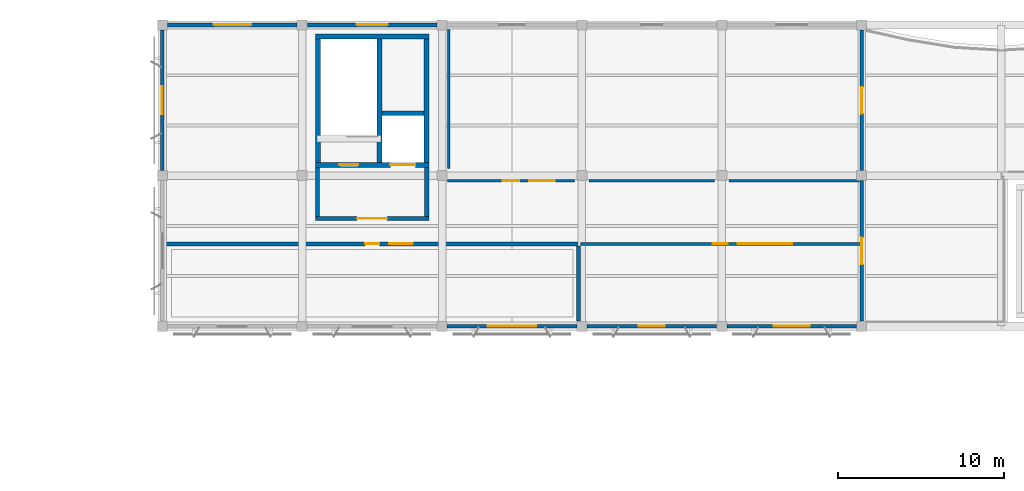
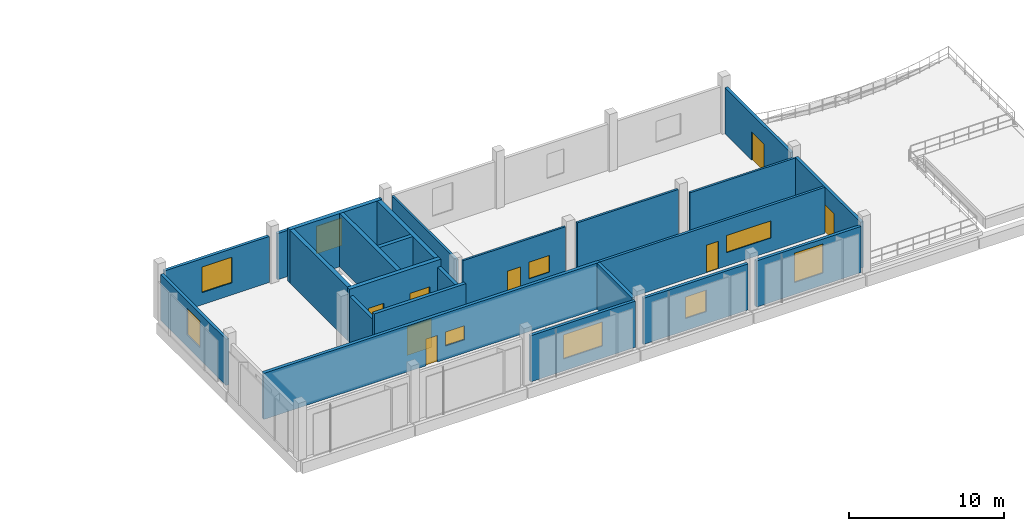
# One storey, part 19 of 28: 24 walls, 9 windows, 8 doors, 17 openings.
"""IFC4 building model written with IfcOpenShell, lengths in metres."""

from ifc_helpers import new_model, si_unit, direction, frame, frame_2d, origin, place, context, subcontext, project, spatial, rectangle, extrude, material, layer, layer_set, type_object, element, fill, save


model = new_model("IFC4")

# Units and contexts
model_context = context("Model", 3, precision=1e-05, world=origin(), true_north=direction((0.0, 1.0)))
body_context = subcontext(model_context, "Body", "Model", "MODEL_VIEW")
ifc_project = project(units=[si_unit("LENGTHUNIT", "METRE"), si_unit("AREAUNIT", "SQUARE_METRE"), si_unit("VOLUMEUNIT", "CUBIC_METRE"), si_unit("PLANEANGLEUNIT", "RADIAN"), si_unit("MASSUNIT", "GRAM", prefix="KILO")], contexts=[model_context])

# Site, building, storey
site_placement = place(None, origin())
site = spatial("IfcSite", under=ifc_project, at=site_placement, CompositionType="ELEMENT")
building_placement = place(site_placement, origin())
building = spatial("IfcBuilding", under=site, at=building_placement, Name="Khurvash Pelagic Aquarium", CompositionType="ELEMENT")
storey_placement = place(building_placement, frame((0.0, 0.0, 20.10009765625)))
storey = spatial("IfcBuildingStorey", under=building, at=storey_placement, Name="L04", CompositionType="ELEMENT", Elevation=20.10009765625)

# Wall, opening, window
ifc_material_1 = material(Name="Glass-fibre reinforced concrete C40/50", Category="concrete")
ifc_layer_1 = layer(ifc_material_1, 0.219970703125)
ifc_layer_set_1 = layer_set([ifc_layer_1], Name="Glass-fibre reinforced concrete C40/50")
wall_type_1 = type_object("IfcWallType", Name="EW-220", PredefinedType="STANDARD", material=ifc_layer_set_1)
wall_1_placement = place(storey_placement, frame((75.905029296875, 84.050048828125, 0.0), z_axis=(0.0, 0.0, 1.0), x_axis=(1.0, 0.0, 0.0)))
wall_1 = element("IfcWall", 1, at=wall_1_placement, inside=storey, type_object=wall_type_1, Name="L04 Exterior Architectural Facade Wall EW-220 0191", PredefinedType="STANDARD", context=body_context, shape_type="SweptSolid", body=[
    extrude(rectangle(XDim=7.7900390625, YDim=0.219970703125, at=frame_2d((3.89501953125, 0.0))), origin(), (0.0, 0.0, 1.0), 3.630859375),
])
opening_1_placement = place(wall_1_placement, frame((2.445068359375, 0.0, 0.949951171875)))
opening_1 = element("IfcOpeningElement", 2, at=opening_1_placement, cuts=wall_1, Name="Opening WN-26", PredefinedType="OPENING", context=body_context, shape_type="SweptSolid", body=[
    extrude(rectangle(XDim=2.89990234375, YDim=1.89990234375, at=frame_2d((1.449951171875, 0.949951171875))), frame((0.0, 0.1201171875, 0.0), z_axis=(0.0, -1.0, 0.0), x_axis=(1.0, 0.0, 0.0)), (0.0, 0.0, 1.0), 0.239990234375),
])
ifc_material_2 = material(Name="Thermally broken aluminium and low-E glass", Category="aluminium")
window_type_1 = type_object("IfcWindowType", Name="WN-26", PartitioningType="SINGLE_PANEL", PredefinedType="WINDOW", material=ifc_material_2)
window_1_placement = place(opening_1_placement, origin())
window_1 = element("IfcWindow", 3, at=window_1_placement, inside=storey, type_object=window_type_1, Name="L04 Facade Window WN-26 0127", OverallHeight=1.89990234375, OverallWidth=2.89990234375, PartitioningType="SINGLE_PANEL", PredefinedType="WINDOW", context=body_context, shape_type="SweptSolid", body=[
    extrude(rectangle(XDim=2.89990234375, YDim=1.89990234375, at=frame_2d((1.449951171875, 0.949951171875))), frame((0.0, 0.030029296875, 0.0), z_axis=(0.0, -1.0, 0.0), x_axis=(1.0, 0.0, 0.0)), (0.0, 0.0, 1.0), 0.06005859375),
])
fill(opening_1, window_1)

wall_2_placement = place(storey_placement, frame((84.304931640625, 84.050048828125, 0.0), z_axis=(0.0, 0.0, 1.0), x_axis=(1.0, 0.0, 0.0)))
wall_2 = element("IfcWall", 4, at=wall_2_placement, inside=storey, type_object=wall_type_1, Name="L04 Exterior Architectural Facade Wall EW-220 0192", PredefinedType="STANDARD", context=body_context, shape_type="SweptSolid", body=[
    extrude(rectangle(XDim=7.7900390625, YDim=0.219970703125, at=frame_2d((3.89501953125, 0.0))), origin(), (0.0, 0.0, 1.0), 3.630859375),
])
opening_2_placement = place(wall_2_placement, frame((3.1201171875, 0.0, 0.949951171875)))
opening_2 = element("IfcOpeningElement", 5, at=opening_2_placement, cuts=wall_2, Name="Opening WN-28", PredefinedType="OPENING", context=body_context, shape_type="SweptSolid", body=[
    extrude(rectangle(XDim=1.550048828125, YDim=1.699951171875, at=frame_2d((0.77490234375, 0.85009765625))), frame((0.0, 0.1201171875, 0.0), z_axis=(0.0, -1.0, 0.0), x_axis=(1.0, 0.0, 0.0)), (0.0, 0.0, 1.0), 0.239990234375),
])
window_type_2 = type_object("IfcWindowType", Name="WN-28", PartitioningType="SINGLE_PANEL", PredefinedType="WINDOW", material=ifc_material_2)
window_2_placement = place(opening_2_placement, origin())
window_2 = element("IfcWindow", 6, at=window_2_placement, inside=storey, type_object=window_type_2, Name="L04 Facade Window WN-28 0128", OverallHeight=1.699951171875, OverallWidth=1.550048828125, PartitioningType="SINGLE_PANEL", PredefinedType="WINDOW", context=body_context, shape_type="SweptSolid", body=[
    extrude(rectangle(XDim=1.550048828125, YDim=1.699951171875, at=frame_2d((0.77490234375, 0.85009765625))), frame((0.0, 0.030029296875, 0.0), z_axis=(0.0, -1.0, 0.0), x_axis=(1.0, 0.0, 0.0)), (0.0, 0.0, 1.0), 0.06005859375),
])
fill(opening_2, window_2)

wall_3_placement = place(storey_placement, frame((92.705078125, 84.050048828125, 0.0), z_axis=(0.0, 0.0, 1.0), x_axis=(1.0, 0.0, 0.0)))
wall_3 = element("IfcWall", 7, at=wall_3_placement, inside=storey, type_object=wall_type_1, Name="L04 Exterior Architectural Facade Wall EW-220 0193", PredefinedType="STANDARD", context=body_context, shape_type="SweptSolid", body=[
    extrude(rectangle(XDim=7.7900390625, YDim=0.219970703125, at=frame_2d((3.89501953125, 0.0))), origin(), (0.0, 0.0, 1.0), 3.630859375),
])
opening_3_placement = place(wall_3_placement, frame((2.820068359375, 0.0, 0.949951171875)))
opening_3 = element("IfcOpeningElement", 8, at=opening_3_placement, cuts=wall_3, Name="Opening WN-30", PredefinedType="OPENING", context=body_context, shape_type="SweptSolid", body=[
    extrude(rectangle(XDim=2.14990234375, YDim=2.300048828125, at=frame_2d((1.074951171875, 1.14990234375))), frame((0.0, 0.1201171875, 0.0), z_axis=(0.0, -1.0, 0.0), x_axis=(1.0, 0.0, 0.0)), (0.0, 0.0, 1.0), 0.239990234375),
])
window_type_3 = type_object("IfcWindowType", Name="WN-30", PartitioningType="SINGLE_PANEL", PredefinedType="WINDOW", material=ifc_material_2)
window_3_placement = place(opening_3_placement, origin())
window_3 = element("IfcWindow", 9, at=window_3_placement, inside=storey, type_object=window_type_3, Name="L04 Facade Window WN-30 0129", OverallHeight=2.300048828125, OverallWidth=2.14990234375, PartitioningType="SINGLE_PANEL", PredefinedType="WINDOW", context=body_context, shape_type="SweptSolid", body=[
    extrude(rectangle(XDim=2.14990234375, YDim=2.300048828125, at=frame_2d((1.074951171875, 1.14990234375))), frame((0.0, 0.030029296875, 0.0), z_axis=(0.0, -1.0, 0.0), x_axis=(1.0, 0.0, 0.0)), (0.0, 0.0, 1.0), 0.06005859375),
])
fill(opening_3, window_3)

# Wall, opening, door
wall_4_placement = place(storey_placement, frame((100.800048828125, 84.35498046875, 0.0), z_axis=(0.0, 0.0, 1.0), x_axis=(0.0, 1.0, 0.0)))
wall_4 = element("IfcWall", 10, at=wall_4_placement, inside=storey, type_object=wall_type_1, Name="L04 Exterior Architectural Facade Wall EW-220 0194", PredefinedType="STANDARD", context=body_context, shape_type="SweptSolid", body=[
    extrude(rectangle(XDim=8.43994140625, YDim=0.219970703125, at=frame_2d((4.219970703125, 0.0))), origin(), (0.0, 0.0, 1.0), 3.630859375),
])
opening_4_placement = place(wall_4_placement, frame((3.419921875, 0.0, 0.0)))
opening_4 = element("IfcOpeningElement", 11, at=opening_4_placement, cuts=wall_4, Name="Opening ED-03", PredefinedType="OPENING", context=body_context, shape_type="SweptSolid", body=[
    extrude(rectangle(XDim=1.60009765625, YDim=2.25, at=frame_2d((0.800048828125, 1.125))), frame((0.0, 0.1201171875, 0.0), z_axis=(0.0, -1.0, 0.0), x_axis=(1.0, 0.0, 0.0)), (0.0, 0.0, 1.0), 0.239990234375),
])
ifc_material_3 = material(Name="Thermally broken glazed aluminium", Category="aluminium")
door_type_1 = type_object("IfcDoorType", Name="ED-03", OperationType="DOUBLE_DOOR_SINGLE_SWING", PredefinedType="DOOR", material=ifc_material_3)
door_1_placement = place(opening_4_placement, frame((1.60009765625, 0.0, 0.0), z_axis=(0.0, 0.0, 1.0), x_axis=(-1.0, 0.0, 0.0)))
door_1 = element("IfcDoor", 12, at=door_1_placement, inside=storey, type_object=door_type_1, Name="DR-0227", OperationType="DOUBLE_DOOR_SINGLE_SWING", OverallHeight=2.25, OverallWidth=1.60009765625, PredefinedType="DOOR", context=body_context, shape_type="SweptSolid", body=[
    extrude(rectangle(XDim=1.60009765625, YDim=2.25, at=frame_2d((0.800048828125, 1.125))), frame((0.0, 0.02490234375, 0.0), z_axis=(0.0, -1.0, 0.0), x_axis=(1.0, 0.0, 0.0)), (0.0, 0.0, 1.0), 0.050048828125),
])
fill(opening_4, door_1)

wall_5_placement = place(storey_placement, frame((100.800048828125, 93.405029296875, 0.0), z_axis=(0.0, 0.0, 1.0), x_axis=(0.0, 1.0, 0.0)))
wall_5 = element("IfcWall", 13, at=wall_5_placement, inside=storey, type_object=wall_type_1, Name="L04 Exterior Architectural Facade Wall EW-220 0195", PredefinedType="STANDARD", context=body_context, shape_type="SweptSolid", body=[
    extrude(rectangle(XDim=8.43994140625, YDim=0.219970703125, at=frame_2d((4.219970703125, 0.0))), origin(), (0.0, 0.0, 1.0), 3.630859375),
])
opening_5_placement = place(wall_5_placement, frame((3.419921875, 0.0, 0.0)))
opening_5 = element("IfcOpeningElement", 14, at=opening_5_placement, cuts=wall_5, Name="Opening ED-03", PredefinedType="OPENING", context=body_context, shape_type="SweptSolid", body=[
    extrude(rectangle(XDim=1.60009765625, YDim=2.25, at=frame_2d((0.800048828125, 1.125))), frame((0.0, 0.1201171875, 0.0), z_axis=(0.0, -1.0, 0.0), x_axis=(1.0, 0.0, 0.0)), (0.0, 0.0, 1.0), 0.239990234375),
])
door_2_placement = place(opening_5_placement, frame((1.60009765625, 0.0, 0.0), z_axis=(0.0, 0.0, 1.0), x_axis=(-1.0, 0.0, 0.0)))
door_2 = element("IfcDoor", 15, at=door_2_placement, inside=storey, type_object=door_type_1, Name="DR-0228", OperationType="DOUBLE_DOOR_SINGLE_SWING", OverallHeight=2.25, OverallWidth=1.60009765625, PredefinedType="DOOR", context=body_context, shape_type="SweptSolid", body=[
    extrude(rectangle(XDim=1.60009765625, YDim=2.25, at=frame_2d((0.800048828125, 1.125))), frame((0.0, 0.02490234375, 0.0), z_axis=(0.0, -1.0, 0.0), x_axis=(1.0, 0.0, 0.0)), (0.0, 0.0, 1.0), 0.050048828125),
])
fill(opening_5, door_2)

# Wall, opening, window
wall_6_placement = place(storey_placement, frame((75.294921875, 102.14990234375, 0.0), z_axis=(0.0, 0.0, 1.0), x_axis=(-1.0, 0.0, 0.0)))
wall_6 = element("IfcWall", 16, at=wall_6_placement, inside=storey, type_object=wall_type_1, Name="L04 Exterior Architectural Facade Wall EW-220 0199", PredefinedType="STANDARD", context=body_context, shape_type="SweptSolid", body=[
    extrude(rectangle(XDim=7.7900390625, YDim=0.219970703125, at=frame_2d((3.89501953125, 0.0))), origin(), (0.0, 0.0, 1.0), 3.630859375),
])
opening_6_placement = place(wall_6_placement, frame((2.955078125, 0.0, 0.949951171875)))
opening_6 = element("IfcOpeningElement", 17, at=opening_6_placement, cuts=wall_6, Name="Opening WN-35", PredefinedType="OPENING", context=body_context, shape_type="SweptSolid", body=[
    extrude(rectangle(XDim=1.8798828125, YDim=2.179931640625, at=frame_2d((0.93994140625, 1.08984375))), frame((0.0, 0.1201171875, 0.0), z_axis=(0.0, -1.0, 0.0), x_axis=(1.0, 0.0, 0.0)), (0.0, 0.0, 1.0), 0.239990234375),
])
window_type_4 = type_object("IfcWindowType", Name="WN-35", PartitioningType="SINGLE_PANEL", PredefinedType="WINDOW", material=ifc_material_2)
window_4_placement = place(opening_6_placement, origin())
window_4 = element("IfcWindow", 18, at=window_4_placement, inside=storey, type_object=window_type_4, Name="L04 Facade Window WN-35 0133", OverallHeight=2.179931640625, OverallWidth=1.8798828125, PartitioningType="SINGLE_PANEL", PredefinedType="WINDOW", context=body_context, shape_type="SweptSolid", body=[
    extrude(rectangle(XDim=1.8798828125, YDim=2.179931640625, at=frame_2d((0.93994140625, 1.08984375))), frame((0.0, 0.030029296875, 0.0), z_axis=(0.0, -1.0, 0.0), x_axis=(1.0, 0.0, 0.0)), (0.0, 0.0, 1.0), 0.06005859375),
])
fill(opening_6, window_4)

wall_7_placement = place(storey_placement, frame((66.89501953125, 102.14990234375, 0.0), z_axis=(0.0, 0.0, 1.0), x_axis=(-1.0, 0.0, 0.0)))
wall_7 = element("IfcWall", 19, at=wall_7_placement, inside=storey, type_object=wall_type_1, Name="L04 Exterior Architectural Facade Wall EW-220 0200", PredefinedType="STANDARD", context=body_context, shape_type="SweptSolid", body=[
    extrude(rectangle(XDim=7.7900390625, YDim=0.219970703125, at=frame_2d((3.89501953125, 0.0))), origin(), (0.0, 0.0, 1.0), 3.630859375),
])
opening_7_placement = place(wall_7_placement, frame((2.764892578125, 0.0, 0.949951171875)))
opening_7 = element("IfcOpeningElement", 20, at=opening_7_placement, cuts=wall_7, Name="Opening WN-37", PredefinedType="OPENING", context=body_context, shape_type="SweptSolid", body=[
    extrude(rectangle(XDim=2.260009765625, YDim=2.02001953125, at=frame_2d((1.1298828125, 1.010009765625))), frame((0.0, 0.1201171875, 0.0), z_axis=(0.0, -1.0, 0.0), x_axis=(1.0, 0.0, 0.0)), (0.0, 0.0, 1.0), 0.239990234375),
])
window_type_5 = type_object("IfcWindowType", Name="WN-37", PartitioningType="SINGLE_PANEL", PredefinedType="WINDOW", material=ifc_material_2)
window_5_placement = place(opening_7_placement, origin())
window_5 = element("IfcWindow", 21, at=window_5_placement, inside=storey, type_object=window_type_5, Name="L04 Facade Window WN-37 0134", OverallHeight=2.02001953125, OverallWidth=2.260009765625, PartitioningType="SINGLE_PANEL", PredefinedType="WINDOW", context=body_context, shape_type="SweptSolid", body=[
    extrude(rectangle(XDim=2.260009765625, YDim=2.02001953125, at=frame_2d((1.1298828125, 1.010009765625))), frame((0.0, 0.030029296875, 0.0), z_axis=(0.0, -1.0, 0.0), x_axis=(1.0, 0.0, 0.0)), (0.0, 0.0, 1.0), 0.06005859375),
])
fill(opening_7, window_5)

wall_8_placement = place(storey_placement, frame((58.800048828125, 101.844970703125, 0.0), z_axis=(0.0, 0.0, 1.0), x_axis=(0.0, -1.0, 0.0)))
wall_8 = element("IfcWall", 22, at=wall_8_placement, inside=storey, type_object=wall_type_1, Name="L04 Exterior Architectural Facade Wall EW-220 0201", PredefinedType="STANDARD", context=body_context, shape_type="SweptSolid", body=[
    extrude(rectangle(XDim=8.43994140625, YDim=0.219970703125, at=frame_2d((4.219970703125, 0.0))), origin(), (0.0, 0.0, 1.0), 3.630859375),
])
opening_8_placement = place(wall_8_placement, frame((3.3798828125, 0.0, 0.949951171875)))
opening_8 = element("IfcOpeningElement", 23, at=opening_8_placement, cuts=wall_8, Name="Opening WN-34", PredefinedType="OPENING", context=body_context, shape_type="SweptSolid", body=[
    extrude(rectangle(XDim=1.679931640625, YDim=2.080078125, at=frame_2d((0.83984375, 1.0400390625))), frame((0.0, 0.1201171875, 0.0), z_axis=(0.0, -1.0, 0.0), x_axis=(1.0, 0.0, 0.0)), (0.0, 0.0, 1.0), 0.239990234375),
])
window_type_6 = type_object("IfcWindowType", Name="WN-34", PartitioningType="SINGLE_PANEL", PredefinedType="WINDOW", material=ifc_material_2)
window_6_placement = place(opening_8_placement, origin())
window_6 = element("IfcWindow", 24, at=window_6_placement, inside=storey, type_object=window_type_6, Name="L04 Facade Window WN-34 0135", OverallHeight=2.080078125, OverallWidth=1.679931640625, PartitioningType="SINGLE_PANEL", PredefinedType="WINDOW", context=body_context, shape_type="SweptSolid", body=[
    extrude(rectangle(XDim=1.679931640625, YDim=2.080078125, at=frame_2d((0.83984375, 1.0400390625))), frame((0.0, 0.030029296875, 0.0), z_axis=(0.0, -1.0, 0.0), x_axis=(1.0, 0.0, 0.0)), (0.0, 0.0, 1.0), 0.06005859375),
])
fill(opening_8, window_6)

# Wall, openings, door, window
ifc_material_4 = material(Name="AAC blockwork", Category="masonry")
ifc_layer_2 = layer(ifc_material_4, 0.155029296875)
ifc_layer_set_2 = layer_set([ifc_layer_2], Name="AAC blockwork")
wall_type_2 = type_object("IfcWallType", Name="PW-155", PredefinedType="PARTITIONING", material=ifc_layer_set_2)
wall_9_placement = place(storey_placement, frame((75.922119140625, 92.800048828125, 0.0), z_axis=(0.0, 0.0, 1.0), x_axis=(1.0, 0.0, 0.0)))
wall_9 = element("IfcWall", 25, at=wall_9_placement, inside=storey, type_object=wall_type_2, Name="L04 Coral Cryobank and Herbarium Archive Partition Wall PW-155", PredefinedType="PARTITIONING", context=body_context, shape_type="SweptSolid", body=[
    extrude(rectangle(XDim=7.637939453125, YDim=0.155029296875, at=frame_2d((3.81884765625, 0.0))), origin(), (0.0, 0.0, 1.0), 4.199951171875),
])
opening_9_placement = place(wall_9_placement, frame((3.3291015625, 0.0, 0.0)))
opening_9 = element("IfcOpeningElement", 26, at=opening_9_placement, cuts=wall_9, Name="Opening ID-39", PredefinedType="OPENING", context=body_context, shape_type="SweptSolid", body=[
    extrude(rectangle(XDim=0.97998046875, YDim=2.219970703125, at=frame_2d((0.489990234375, 1.10986328125))), frame((0.0, 0.08740234375, 0.0), z_axis=(0.0, -1.0, 0.0), x_axis=(1.0, 0.0, 0.0)), (0.0, 0.0, 1.0), 0.175048828125),
])
opening_10_placement = place(wall_9_placement, frame((4.908935546875, 0.0, 1.0498046875)))
opening_10 = element("IfcOpeningElement", 27, at=opening_10_placement, cuts=wall_9, Name="Opening IW-13", PredefinedType="OPENING", context=body_context, shape_type="SweptSolid", body=[
    extrude(rectangle(XDim=1.550048828125, YDim=1.320068359375, at=frame_2d((0.77490234375, 0.66015625))), frame((0.0, 0.08740234375, 0.0), z_axis=(0.0, -1.0, 0.0), x_axis=(1.0, 0.0, 0.0)), (0.0, 0.0, 1.0), 0.175048828125),
])
ifc_material_5 = material(Name="Acoustic staff locker door", Category="wood")
door_type_2 = type_object("IfcDoorType", Name="ID-39", OperationType="NOTDEFINED", PredefinedType="DOOR", material=ifc_material_5)
door_3_placement = place(opening_9_placement, origin())
door_3 = element("IfcDoor", 28, at=door_3_placement, inside=storey, type_object=door_type_2, Name="DR-0239", OperationType="SINGLE_SWING_LEFT", OverallHeight=2.219970703125, OverallWidth=0.97998046875, PredefinedType="DOOR", context=body_context, shape_type="SweptSolid", body=[
    extrude(rectangle(XDim=0.97998046875, YDim=2.219970703125, at=frame_2d((0.489990234375, 1.10986328125))), frame((0.0, 0.02490234375, 0.0), z_axis=(0.0, -1.0, 0.0), x_axis=(1.0, 0.0, 0.0)), (0.0, 0.0, 1.0), 0.050048828125),
])
fill(opening_9, door_3)
ifc_material_6 = material(Name="Acoustic laminated interior observation glazing", Category="glass")
window_type_7 = type_object("IfcWindowType", Name="IW-13", PartitioningType="SINGLE_PANEL", PredefinedType="WINDOW", material=ifc_material_6)
window_7_placement = place(opening_10_placement, origin())
window_7 = element("IfcWindow", 29, at=window_7_placement, inside=storey, type_object=window_type_7, Name="L04 Coral Cryobank and Herbarium Archive Observation Window IW-13", OverallHeight=1.320068359375, OverallWidth=1.550048828125, PartitioningType="SINGLE_PANEL", PredefinedType="WINDOW", context=body_context, shape_type="SweptSolid", body=[
    extrude(rectangle(XDim=1.550048828125, YDim=1.320068359375, at=frame_2d((0.77490234375, 0.66015625))), frame((0.0, 0.030029296875, 0.0), z_axis=(0.0, -1.0, 0.0), x_axis=(1.0, 0.0, 0.0)), (0.0, 0.0, 1.0), 0.06005859375),
])
fill(opening_10, window_7)

# Walls
wall_10_placement = place(storey_placement, frame((84.43994140625, 92.800048828125, 0.0), z_axis=(0.0, 0.0, 1.0), x_axis=(1.0, 0.0, 0.0)))
element("IfcWall", 30, at=wall_10_placement, inside=storey, type_object=wall_type_2, Name="L04 Coral Cryobank and Herbarium Archive Partition Wall PW-155", PredefinedType="PARTITIONING", context=body_context, shape_type="SweptSolid", body=[
    extrude(rectangle(XDim=7.52001953125, YDim=0.155029296875, at=frame_2d((3.760009765625, 0.0))), origin(), (0.0, 0.0, 1.0), 4.199951171875),
])
wall_11_placement = place(storey_placement, frame((92.840087890625, 92.800048828125, 0.0), z_axis=(0.0, 0.0, 1.0), x_axis=(1.0, 0.0, 0.0)))
element("IfcWall", 31, at=wall_11_placement, inside=storey, type_object=wall_type_2, Name="L04 Coral Cryobank and Herbarium Archive Partition Wall PW-155", PredefinedType="PARTITIONING", context=body_context, shape_type="SweptSolid", body=[
    extrude(rectangle(XDim=7.8369140625, YDim=0.155029296875, at=frame_2d((3.91845703125, 0.0))), origin(), (0.0, 0.0, 1.0), 3.630859375),
])
wall_12_placement = place(storey_placement, frame((76.0, 93.5400390625, 0.0), z_axis=(0.0, 0.0, 1.0), x_axis=(0.0, 1.0, 0.0)))
element("IfcWall", 32, at=wall_12_placement, inside=storey, type_object=wall_type_2, Name="L04 Coral Cryobank and Herbarium Archive Partition Wall PW-155", PredefinedType="PARTITIONING", context=body_context, shape_type="SweptSolid", body=[
    extrude(rectangle(XDim=8.3330078125, YDim=0.155029296875, at=frame_2d((4.16650390625, 0.0))), origin(), (0.0, 0.0, 1.0), 3.762939453125),
])

# Wall, openings, door, window
ifc_layer_3 = layer(ifc_material_4, 0.18505859375)
ifc_layer_set_3 = layer_set([ifc_layer_3], Name="AAC blockwork")
wall_type_3 = type_object("IfcWallType", Name="PW-185", PredefinedType="PARTITIONING", material=ifc_layer_set_3)
wall_13_placement = place(storey_placement, frame((83.906982421875, 89.0, 0.0), z_axis=(0.0, 0.0, 1.0), x_axis=(1.0, 0.0, 0.0)))
wall_13 = element("IfcWall", 33, at=wall_13_placement, inside=storey, type_object=wall_type_3, Name="L04 Bioinformatics and Ocean Telemetry Lab Partition Wall PW-185", PredefinedType="PARTITIONING", context=body_context, shape_type="SweptSolid", body=[
    extrude(rectangle(XDim=16.784912109375, YDim=0.18505859375, at=frame_2d((8.392578125, 0.0))), origin(), (0.0, 0.0, 1.0), 3.630859375),
])
opening_11_placement = place(wall_13_placement, frame((7.94189453125, 0.0, 0.0)))
opening_11 = element("IfcOpeningElement", 34, at=opening_11_placement, cuts=wall_13, Name="Opening ID-38", PredefinedType="OPENING", context=body_context, shape_type="SweptSolid", body=[
    extrude(rectangle(XDim=0.89990234375, YDim=2.159912109375, at=frame_2d((0.449951171875, 1.080078125))), frame((0.0, 0.1025390625, 0.0), z_axis=(0.0, -1.0, 0.0), x_axis=(1.0, 0.0, 0.0)), (0.0, 0.0, 1.0), 0.205078125),
])
opening_12_placement = place(wall_13_placement, frame((9.44189453125, 0.0, 1.0498046875)))
opening_12 = element("IfcOpeningElement", 35, at=opening_12_placement, cuts=wall_13, Name="Opening IW-12", PredefinedType="OPENING", context=body_context, shape_type="SweptSolid", body=[
    extrude(rectangle(XDim=3.300048828125, YDim=1.35009765625, at=frame_2d((1.64990234375, 0.675048828125))), frame((0.0, 0.1025390625, 0.0), z_axis=(0.0, -1.0, 0.0), x_axis=(1.0, 0.0, 0.0)), (0.0, 0.0, 1.0), 0.205078125),
])
ifc_material_7 = material(Name="High-pressure laminate cleaner store door", Category="wood")
door_type_3 = type_object("IfcDoorType", Name="ID-38", OperationType="NOTDEFINED", PredefinedType="DOOR", material=ifc_material_7)
door_4_placement = place(opening_11_placement, frame((0.89990234375, 0.0, 0.0), z_axis=(0.0, 0.0, 1.0), x_axis=(-1.0, 0.0, 0.0)))
door_4 = element("IfcDoor", 36, at=door_4_placement, inside=storey, type_object=door_type_3, Name="DR-0238", OperationType="SINGLE_SWING_RIGHT", OverallHeight=2.159912109375, OverallWidth=0.89990234375, PredefinedType="DOOR", context=body_context, shape_type="SweptSolid", body=[
    extrude(rectangle(XDim=0.89990234375, YDim=2.159912109375, at=frame_2d((0.449951171875, 1.080078125))), frame((0.0, 0.02490234375, 0.0), z_axis=(0.0, -1.0, 0.0), x_axis=(1.0, 0.0, 0.0)), (0.0, 0.0, 1.0), 0.050048828125),
])
fill(opening_11, door_4)
window_type_8 = type_object("IfcWindowType", Name="IW-12", PartitioningType="SINGLE_PANEL", PredefinedType="WINDOW", material=ifc_material_6)
window_8_placement = place(opening_12_placement, origin())
window_8 = element("IfcWindow", 37, at=window_8_placement, inside=storey, type_object=window_type_8, Name="L04 Bioinformatics and Ocean Telemetry Lab Observation Window IW-12", OverallHeight=1.35009765625, OverallWidth=3.300048828125, PartitioningType="SINGLE_PANEL", PredefinedType="WINDOW", context=body_context, shape_type="SweptSolid", body=[
    extrude(rectangle(XDim=3.300048828125, YDim=1.35009765625, at=frame_2d((1.64990234375, 0.675048828125))), frame((0.0, 0.030029296875, 0.0), z_axis=(0.0, -1.0, 0.0), x_axis=(1.0, 0.0, 0.0)), (0.0, 0.0, 1.0), 0.06005859375),
])
fill(opening_12, window_8)

ifc_layer_4 = layer(ifc_material_4, 0.235107421875)
ifc_layer_set_4 = layer_set([ifc_layer_4], Name="AAC blockwork")
wall_type_4 = type_object("IfcWallType", Name="PW-235", PredefinedType="PARTITIONING", material=ifc_layer_set_4)
wall_14_placement = place(storey_placement, frame((58.883056640625, 89.0, 0.0), z_axis=(0.0, 0.0, 1.0), x_axis=(1.0, 0.0, 0.0)))
wall_14 = element("IfcWall", 38, at=wall_14_placement, inside=storey, type_object=wall_type_4, Name="L04 Environmental DNA Sequencing Laboratory Partition Wall PW-235", PredefinedType="PARTITIONING", context=body_context, shape_type="SweptSolid", body=[
    extrude(rectangle(XDim=25.034912109375, YDim=0.235107421875, at=frame_2d((12.517578125, 0.0))), origin(), (0.0, 0.0, 1.0), 3.630859375),
])
opening_13_placement = place(wall_14_placement, frame((12.087890625, 0.0, 0.0)))
opening_13 = element("IfcOpeningElement", 39, at=opening_13_placement, cuts=wall_14, Name="Opening ID-37", PredefinedType="OPENING", context=body_context, shape_type="SweptSolid", body=[
    extrude(rectangle(XDim=0.860107421875, YDim=2.10009765625, at=frame_2d((0.43017578125, 1.050048828125))), frame((0.0, 0.12744140625, 0.0), z_axis=(0.0, -1.0, 0.0), x_axis=(1.0, 0.0, 0.0)), (0.0, 0.0, 1.0), 0.255126953125),
])
opening_14_placement = place(wall_14_placement, frame((13.548095703125, 0.0, 1.0498046875)))
opening_14 = element("IfcOpeningElement", 40, at=opening_14_placement, cuts=wall_14, Name="Opening IW-11", PredefinedType="OPENING", context=body_context, shape_type="SweptSolid", body=[
    extrude(rectangle(XDim=1.39990234375, YDim=1.10009765625, at=frame_2d((0.699951171875, 0.550048828125))), frame((0.0, 0.12744140625, 0.0), z_axis=(0.0, -1.0, 0.0), x_axis=(1.0, 0.0, 0.0)), (0.0, 0.0, 1.0), 0.255126953125),
])
ifc_material_8 = material(Name="High-pressure laminate riser access door", Category="wood")
door_type_4 = type_object("IfcDoorType", Name="ID-37", OperationType="NOTDEFINED", PredefinedType="DOOR", material=ifc_material_8)
door_5_placement = place(opening_13_placement, frame((0.860107421875, 0.0, 0.0), z_axis=(0.0, 0.0, 1.0), x_axis=(-1.0, 0.0, 0.0)))
door_5 = element("IfcDoor", 41, at=door_5_placement, inside=storey, type_object=door_type_4, Name="DR-0237", OperationType="SINGLE_SWING_LEFT", OverallHeight=2.10009765625, OverallWidth=0.860107421875, PredefinedType="DOOR", context=body_context, shape_type="SweptSolid", body=[
    extrude(rectangle(XDim=0.860107421875, YDim=2.10009765625, at=frame_2d((0.43017578125, 1.050048828125))), frame((0.0, 0.02490234375, 0.0), z_axis=(0.0, -1.0, 0.0), x_axis=(1.0, 0.0, 0.0)), (0.0, 0.0, 1.0), 0.050048828125),
])
fill(opening_13, door_5)
window_type_9 = type_object("IfcWindowType", Name="IW-11", PartitioningType="SINGLE_PANEL", PredefinedType="WINDOW", material=ifc_material_6)
window_9_placement = place(opening_14_placement, origin())
window_9 = element("IfcWindow", 42, at=window_9_placement, inside=storey, type_object=window_type_9, Name="L04 Environmental DNA Sequencing Laboratory Observation Window IW-11", OverallHeight=1.10009765625, OverallWidth=1.39990234375, PartitioningType="SINGLE_PANEL", PredefinedType="WINDOW", context=body_context, shape_type="SweptSolid", body=[
    extrude(rectangle(XDim=1.39990234375, YDim=1.10009765625, at=frame_2d((0.699951171875, 0.550048828125))), frame((0.0, 0.030029296875, 0.0), z_axis=(0.0, -1.0, 0.0), x_axis=(1.0, 0.0, 0.0)), (0.0, 0.0, 1.0), 0.06005859375),
])
fill(opening_14, window_9)

# Wall
wall_15_placement = place(storey_placement, frame((83.800048828125, 84.367919921875, 0.0), z_axis=(0.0, 0.0, 1.0), x_axis=(0.0, 1.0, 0.0)))
element("IfcWall", 43, at=wall_15_placement, inside=storey, type_object=wall_type_4, Name="L04 Environmental DNA Sequencing Laboratory Partition Wall PW-235", PredefinedType="PARTITIONING", context=body_context, shape_type="SweptSolid", body=[
    extrude(rectangle(XDim=4.51416015625, YDim=0.235107421875, at=frame_2d((2.257080078125, 0.0))), origin(), (0.0, 0.0, 1.0), 3.630859375),
])

# Wall, opening, door
ifc_layer_5 = layer(ifc_material_4, 0.25)
ifc_layer_set_5 = layer_set([ifc_layer_5], Name="AAC blockwork")
wall_type_5 = type_object("IfcWallType", Name="PW-250", PredefinedType="PARTITIONING", material=ifc_layer_set_5)
wall_16_placement = place(storey_placement, frame((68.0, 90.52490234375, 0.0), z_axis=(0.0, 0.0, 1.0), x_axis=(1.0, 0.0, 0.0)))
wall_16 = element("IfcWall", 44, at=wall_16_placement, inside=storey, type_object=wall_type_5, Name="L04 Core C4 Lobby Front Fire Wall PW-250", PredefinedType="PARTITIONING", context=body_context, shape_type="SweptSolid", body=[
    extrude(rectangle(XDim=6.800048828125, YDim=0.25, at=frame_2d((3.39990234375, 0.0))), origin(), (0.0, 0.0, 1.0), 4.199951171875),
])
opening_15_placement = place(wall_16_placement, frame((2.5, 0.0, 0.0)))
opening_15 = element("IfcOpeningElement", 45, at=opening_15_placement, cuts=wall_16, Name="Opening FD-02", PredefinedType="OPENING", context=body_context, shape_type="SweptSolid", body=[
    extrude(rectangle(XDim=1.800048828125, YDim=2.25, at=frame_2d((0.89990234375, 1.125))), frame((0.0, 0.135009765625, 0.0), z_axis=(0.0, -1.0, 0.0), x_axis=(1.0, 0.0, 0.0)), (0.0, 0.0, 1.0), 0.27001953125),
])
ifc_material_9 = material(Name="Galvanised steel double fire door", Category="steel")
door_type_5 = type_object("IfcDoorType", Name="FD-02", OperationType="DOUBLE_DOOR_SINGLE_SWING", PredefinedType="DOOR", material=ifc_material_9)
door_6_placement = place(opening_15_placement, frame((1.800048828125, 0.0, 0.0), z_axis=(0.0, 0.0, 1.0), x_axis=(-1.0, 0.0, 0.0)))
door_6 = element("IfcDoor", 46, at=door_6_placement, inside=storey, type_object=door_type_5, Name="DR-0243", OperationType="DOUBLE_DOOR_SINGLE_SWING", OverallHeight=2.25, OverallWidth=1.800048828125, PredefinedType="DOOR", context=body_context, shape_type="SweptSolid", body=[
    extrude(rectangle(XDim=1.800048828125, YDim=2.25, at=frame_2d((0.89990234375, 1.125))), frame((0.0, 0.02490234375, 0.0), z_axis=(0.0, -1.0, 0.0), x_axis=(1.0, 0.0, 0.0)), (0.0, 0.0, 1.0), 0.050048828125),
])
fill(opening_15, door_6)

# Walls
for number, where, z_axis, x_axis, name in (
    (47, (68.125, 90.64990234375, 0.0), (0.0, 0.0, 1.0), (0.0, 1.0, 0.0), "L04 Core C4 Lobby West Fire Wall PW-250"),
    (48, (74.675048828125, 90.64990234375, 0.0), (0.0, 0.0, 1.0), (0.0, 1.0, 0.0), "L04 Core C4 Lobby East Fire Wall PW-250"),
):
    element("IfcWall", number, at=place(storey_placement, frame(where, z_axis=z_axis, x_axis=x_axis)), inside=storey, type_object=wall_type_5, Name=name, PredefinedType="PARTITIONING", context=body_context, shape_type="SweptSolid", body=[
        extrude(rectangle(XDim=2.9501953125, YDim=0.25, at=frame_2d((1.47509765625, 0.0))), origin(), (0.0, 0.0, 1.0), 3.630859375),
    ])
ifc_material_10 = material(Name="Concrete C40/50", Category="concrete")
ifc_layer_6 = layer(ifc_material_10, 0.27490234375)
ifc_layer_set_6 = layer_set([ifc_layer_6], Name="Concrete C40/50")
wall_type_6 = type_object("IfcWallType", Name="SW-275", PredefinedType="SHEAR", material=ifc_layer_set_6)
wall_17_placement = place(storey_placement, frame((72.0, 96.837890625, 0.0), z_axis=(0.0, 0.0, 1.0), x_axis=(1.0, 0.0, 0.0)))
element("IfcWall", 49, at=wall_17_placement, inside=storey, type_object=wall_type_6, Name="L04 Lift GL-01 Shaft Rear Shear Wall SW-275", PredefinedType="SHEAR", context=body_context, shape_type="SweptSolid", body=[
    extrude(rectangle(XDim=2.5, YDim=0.27490234375, at=frame_2d((1.25, 0.0))), origin(), (0.0, 0.0, 1.0), 4.199951171875),
])

# Wall, openings, doors
ifc_layer_7 = layer(ifc_material_10, 0.300048828125)
ifc_layer_set_7 = layer_set([ifc_layer_7], Name="Concrete C40/50")
wall_type_7 = type_object("IfcWallType", Name="SW-300", PredefinedType="SHEAR", material=ifc_layer_set_7)
wall_18_placement = place(storey_placement, frame((68.0, 93.75, 0.0), z_axis=(0.0, 0.0, 1.0), x_axis=(1.0, 0.0, 0.0)))
wall_18 = element("IfcWall", 50, at=wall_18_placement, inside=storey, type_object=wall_type_7, Name="L04 Core C4 South Shear Wall SW-300", PredefinedType="SHEAR", context=body_context, shape_type="SweptSolid", body=[
    extrude(rectangle(XDim=6.800048828125, YDim=0.300048828125, at=frame_2d((3.39990234375, 0.0))), origin(), (0.0, 0.0, 1.0), 4.199951171875),
])
opening_16_placement = place(wall_18_placement, frame((1.425048828125, 0.0, 0.0)))
opening_16 = element("IfcOpeningElement", 51, at=opening_16_placement, cuts=wall_18, Name="Opening FD-01", PredefinedType="OPENING", context=body_context, shape_type="SweptSolid", body=[
    extrude(rectangle(XDim=1.14990234375, YDim=2.199951171875, at=frame_2d((0.574951171875, 1.10009765625))), frame((0.0, 0.16015625, 0.0), z_axis=(0.0, -1.0, 0.0), x_axis=(1.0, 0.0, 0.0)), (0.0, 0.0, 1.0), 0.320068359375),
])
opening_17_placement = place(wall_18_placement, frame((4.5, 0.0, 0.0)))
opening_17 = element("IfcOpeningElement", 52, at=opening_17_placement, cuts=wall_18, Name="Opening LD-03", PredefinedType="OPENING", context=body_context, shape_type="SweptSolid", body=[
    extrude(rectangle(XDim=1.5, YDim=2.300048828125, at=frame_2d((0.75, 1.14990234375))), frame((0.0, 0.16015625, 0.0), z_axis=(0.0, -1.0, 0.0), x_axis=(1.0, 0.0, 0.0)), (0.0, 0.0, 1.0), 0.320068359375),
])
ifc_material_11 = material(Name="Galvanised steel fire door", Category="steel")
door_type_6 = type_object("IfcDoorType", Name="FD-01", OperationType="NOTDEFINED", PredefinedType="DOOR", material=ifc_material_11)
door_7_placement = place(opening_16_placement, origin())
door_7 = element("IfcDoor", 53, at=door_7_placement, inside=storey, type_object=door_type_6, Name="DR-0216", OperationType="SINGLE_SWING_RIGHT", OverallHeight=2.199951171875, OverallWidth=1.14990234375, PredefinedType="DOOR", context=body_context, shape_type="SweptSolid", body=[
    extrude(rectangle(XDim=1.14990234375, YDim=2.199951171875, at=frame_2d((0.574951171875, 1.10009765625))), frame((0.0, 0.02490234375, 0.0), z_axis=(0.0, -1.0, 0.0), x_axis=(1.0, 0.0, 0.0)), (0.0, 0.0, 1.0), 0.050048828125),
])
fill(opening_16, door_7)
ifc_material_12 = material(Name="Brushed stainless steel 316 goods lift landing door", Category="steel")
door_type_7 = type_object("IfcDoorType", Name="LD-03", OperationType="DOUBLE_DOOR_SLIDING", PredefinedType="DOOR", material=ifc_material_12)
door_8_placement = place(opening_17_placement, origin())
door_8 = element("IfcDoor", 54, at=door_8_placement, inside=storey, type_object=door_type_7, Name="DR-0220", OperationType="DOUBLE_DOOR_SLIDING", OverallHeight=2.300048828125, OverallWidth=1.5, PredefinedType="DOOR", context=body_context, shape_type="SweptSolid", body=[
    extrude(rectangle(XDim=1.5, YDim=2.300048828125, at=frame_2d((0.75, 1.14990234375))), frame((0.0, 0.02490234375, 0.0), z_axis=(0.0, -1.0, 0.0), x_axis=(1.0, 0.0, 0.0)), (0.0, 0.0, 1.0), 0.050048828125),
])
fill(opening_17, door_8)

# Walls
wall_19_placement = place(storey_placement, frame((68.0, 101.449951171875, 0.0), z_axis=(0.0, 0.0, 1.0), x_axis=(1.0, 0.0, 0.0)))
element("IfcWall", 55, at=wall_19_placement, inside=storey, type_object=wall_type_7, Name="L04 Core C4 North Shear Wall SW-300", PredefinedType="SHEAR", context=body_context, shape_type="SweptSolid", body=[
    extrude(rectangle(XDim=6.800048828125, YDim=0.300048828125, at=frame_2d((3.39990234375, 0.0))), origin(), (0.0, 0.0, 1.0), 4.199951171875),
])
for number, where, z_axis, x_axis, name in (
    (56, (68.14990234375, 93.89990234375, 0.0), (0.0, 0.0, 1.0), (0.0, 1.0, 0.0), "L04 Core C4 West Shear Wall SW-300"),
    (57, (74.64990234375, 93.89990234375, 0.0), (0.0, 0.0, 1.0), (0.0, 1.0, 0.0), "L04 Core C4 East Shear Wall SW-300"),
    (58, (71.85009765625, 93.89990234375, 0.0), (0.0, 0.0, 1.0), (0.0, 1.0, 0.0), "L04 Core C4 Divider Shear Wall SW-300"),
):
    element("IfcWall", number, at=place(storey_placement, frame(where, z_axis=z_axis, x_axis=x_axis)), inside=storey, type_object=wall_type_7, Name=name, PredefinedType="SHEAR", context=body_context, shape_type="SweptSolid", body=[
        extrude(rectangle(XDim=7.400146484375, YDim=0.300048828125, at=frame_2d((3.7001953125, 0.0))), origin(), (0.0, 0.0, 1.0), 4.199951171875),
    ])

save(model, "model.ifc")
